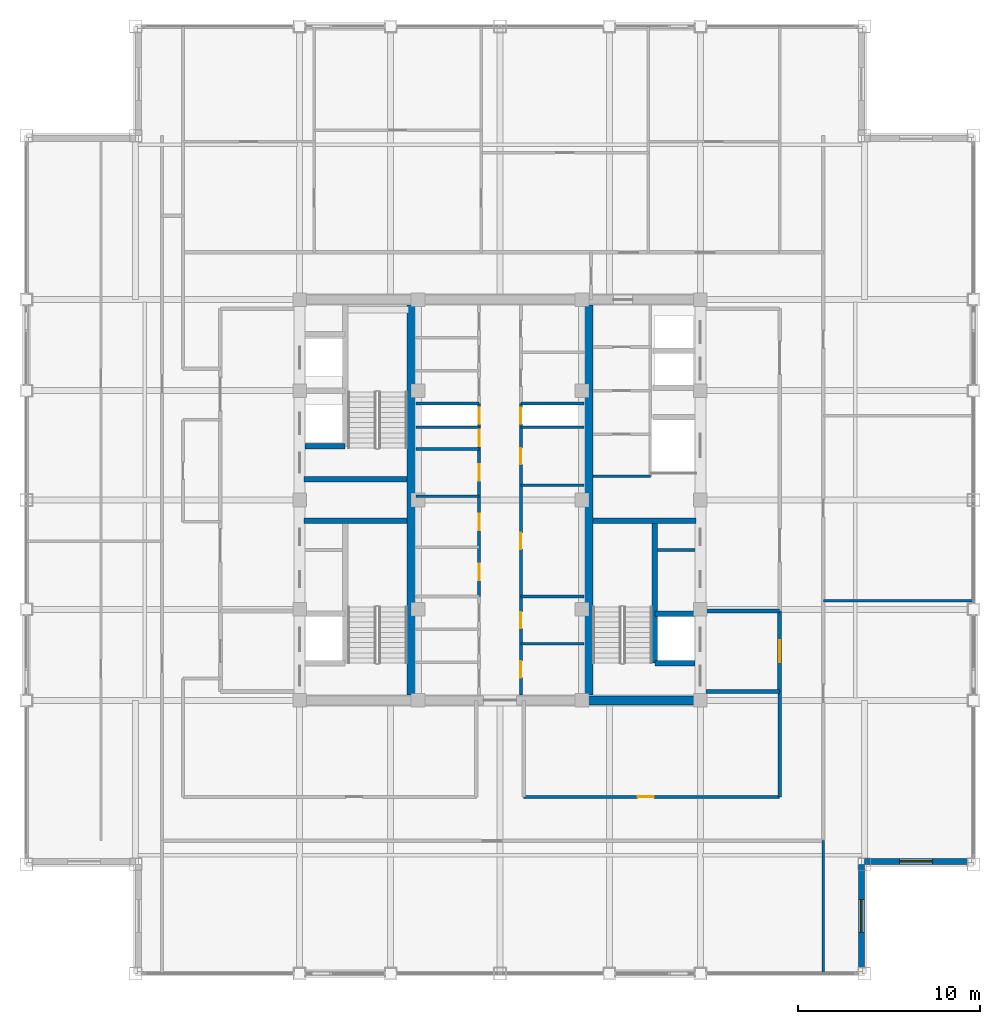
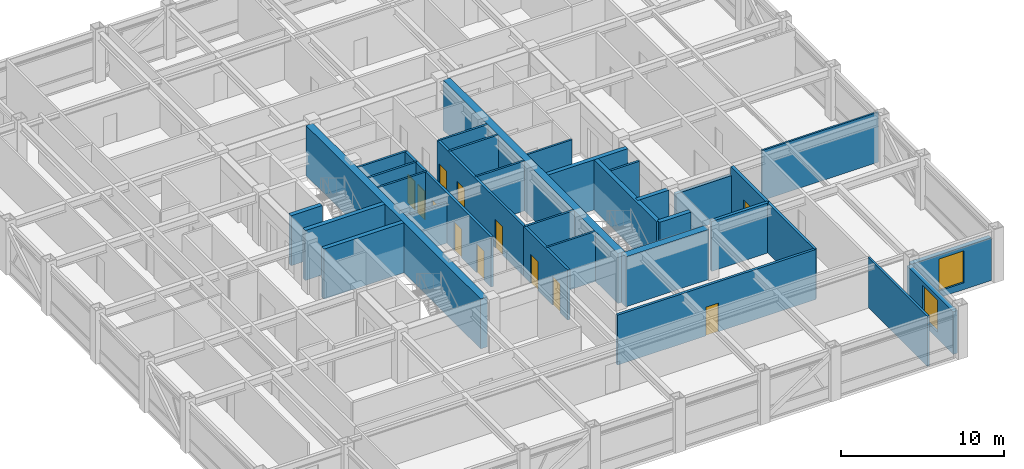
# One storey, part 25 of 29: 33 walls, 12 doors, 2 windows, 14 openings.
"""IFC4 building model written with IfcOpenShell, lengths in metres."""

from ifc_helpers import new_model, si_unit, direction, frame, frame_2d, origin, place, context, subcontext, project, spatial, rectangle, extrude, source, transform, mapped, material, layer, layer_set, type_object, element, fill, save


model = new_model("IFC4")

# Units and contexts
model_context = context("Model", 3, precision=1e-05, world=origin(), true_north=direction((0.0, 1.0)))
body_context = subcontext(model_context, "Body", "Model", "MODEL_VIEW")
ifc_project = project(units=[si_unit("LENGTHUNIT", "METRE"), si_unit("AREAUNIT", "SQUARE_METRE"), si_unit("VOLUMEUNIT", "CUBIC_METRE"), si_unit("PLANEANGLEUNIT", "RADIAN"), si_unit("MASSUNIT", "GRAM", prefix="KILO")], contexts=[model_context])

# Site, building, storey
site_placement = place(None, origin())
site = spatial("IfcSite", under=ifc_project, at=site_placement, CompositionType="ELEMENT")
building_placement = place(site_placement, origin())
building = spatial("IfcBuilding", under=site, at=building_placement, Name="Khorayat Bourse Tower", CompositionType="ELEMENT")
storey_placement = place(building_placement, frame((0.0, 0.0, 362.300048828125)))
storey = spatial("IfcBuildingStorey", under=building, at=storey_placement, Name="L86", CompositionType="ELEMENT", Elevation=362.300048828125)

# Walls
ifc_material_1 = material(Name="Concrete C52/65", Category="concrete")
ifc_layer_1 = layer(ifc_material_1, 0.5)
ifc_layer_set_1 = layer_set([ifc_layer_1], Name="Concrete C52/65")
wall_type_1 = type_object("IfcWallType", Name="WAL-CORE-500", PredefinedType="SHEAR", material=ifc_layer_set_1)
shared_shape_1 = source(origin(), body_context, "Body", "SweptSolid", [
    extrude(rectangle(XDim=21.39990234375, YDim=0.5, at=frame_2d((10.699951171875, 0.0))), origin(), (0.0, 0.0, 1.0), 3.739990234375),
])
for number, where, z_axis, x_axis, name in (
    (1, (-4.85009765625, -10.699951171875, 0.0), (0.0, 0.0, 1.0), (0.0, 1.0, 0.0), "L86 Core Shear Wall PIER-W"),
    (2, (4.85009765625, -10.699951171875, 0.0), (0.0, 0.0, 1.0), (0.0, 1.0, 0.0), "L86 Core Shear Wall PIER-E"),
):
    element("IfcWall", number, at=place(storey_placement, frame(where, z_axis=z_axis, x_axis=x_axis)), inside=storey, type_object=wall_type_1, Name=name, PredefinedType="SHEAR", context=body_context, shape_type="MappedRepresentation", body=[
        mapped(shared_shape_1, transform((0.0, 0.0, 0.0), scale=1.0)),
    ])
shared_shape_2 = source(origin(), body_context, "Body", "SweptSolid", [
    extrude(rectangle(XDim=5.89990234375, YDim=0.5, at=frame_2d((2.949951171875, 0.0))), origin(), (0.0, 0.0, 1.0), 3.739990234375),
])
wall_1_placement = place(storey_placement, frame((4.85009765625, -11.0, 0.0), z_axis=(0.0, 0.0, 1.0), x_axis=(1.0, 0.0, 0.0)))
element("IfcWall", 3, at=wall_1_placement, inside=storey, type_object=wall_type_1, Name="L86 Core Shear Wall PIER-ES", PredefinedType="SHEAR", context=body_context, shape_type="MappedRepresentation", body=[
    mapped(shared_shape_2, transform((0.0, 0.0, 0.0), scale=1.0)),
])
ifc_material_2 = material(Name="Concrete C50/60", Category="concrete")
ifc_layer_2 = layer(ifc_material_2, 0.300048828125)
ifc_layer_set_2 = layer_set([ifc_layer_2], Name="Concrete C50/60")
wall_type_2 = type_object("IfcWallType", Name="WAL-SHAFT-300", PredefinedType="SHEAR", material=ifc_layer_set_2)
shared_shape_3 = source(origin(), body_context, "Body", "SweptSolid", [
    extrude(rectangle(XDim=5.64990234375, YDim=0.300048828125, at=frame_2d((2.824951171875, 0.0))), origin(), (0.0, 0.0, 1.0), 3.739990234375),
])
for number, where, z_axis, x_axis, name in (
    (4, (-10.75, -1.14990234375, 0.0), (0.0, 0.0, 1.0), (1.0, 0.0, 0.0), "L86 Core Shear Wall ST1-DIV"),
    (5, (-10.75, 1.14990234375, 0.0), (0.0, 0.0, 1.0), (1.0, 0.0, 0.0), "L86 Core Shear Wall ST2-DIV"),
    (6, (5.10009765625, -1.14990234375, 0.0), (0.0, 0.0, 1.0), (1.0, 0.0, 0.0), "L86 Core Shear Wall ST3-DIV"),
):
    element("IfcWall", number, at=place(storey_placement, frame(where, z_axis=z_axis, x_axis=x_axis)), inside=storey, type_object=wall_type_2, Name=name, PredefinedType="SHEAR", context=body_context, shape_type="MappedRepresentation", body=[
        mapped(shared_shape_3, transform((0.0, 0.0, 0.0), scale=1.0)),
    ])

# Wall, opening, window
ifc_material_3 = material(Name="Precast concrete C45/55", Category="concrete")
ifc_layer_3 = layer(ifc_material_3, 0.320068359375)
ifc_layer_set_3 = layer_set([ifc_layer_3], Name="Precast concrete C45/55")
wall_type_3 = type_object("IfcWallType", Name="WAL-EXT-STONE-320", PredefinedType="STANDARD", material=ifc_layer_set_3)
shared_shape_4 = source(origin(), body_context, "Body", "SweptSolid", [
    extrude(rectangle(XDim=5.679931640625, YDim=0.320068359375, at=frame_2d((2.83984375, 0.0))), origin(), (0.0, 0.0, 1.0), 3.19091796875),
])
wall_2_placement = place(storey_placement, frame((19.840087890625, -25.679931640625, 0.0), z_axis=(0.0, 0.0, 1.0), x_axis=(0.0, 1.0, 0.0)))
wall_2 = element("IfcWall", 7, at=wall_2_placement, inside=storey, type_object=wall_type_3, Name="L86 Re-Entrant Notch Limestone Wall SE-V", PredefinedType="STANDARD", context=body_context, shape_type="MappedRepresentation", body=[
    mapped(shared_shape_4, transform((0.0, 0.0, 0.0), scale=1.0)),
])
shared_shape_5 = source(origin(), body_context, "Body", "SweptSolid", [
    extrude(rectangle(XDim=1.800048828125, YDim=2.39990234375, at=frame_2d((0.89990234375, 1.199951171875))), frame((0.0, 0.169921875, 0.0), z_axis=(0.0, -1.0, 0.0), x_axis=(1.0, 0.0, 0.0)), (0.0, 0.0, 1.0), 0.340087890625),
])
opening_1_placement = place(wall_2_placement, frame((1.93994140625, 0.0, 0.5)))
opening_1 = element("IfcOpeningElement", 8, at=opening_1_placement, cuts=wall_2, Name="Opening WN-04", PredefinedType="OPENING", context=body_context, shape_type="MappedRepresentation", body=[
    mapped(shared_shape_5, transform((0.0, 0.0, 0.0), scale=1.0)),
])
ifc_material_4 = material(Name="Low-E acoustic laminated double glazing", Category="glass")
window_type = type_object("IfcWindowType", Name="WIN-NOTCH-1800x2400", PartitioningType="SINGLE_PANEL", PredefinedType="WINDOW", material=ifc_material_4)
shared_shape_6 = source(origin(), body_context, "Body", "SweptSolid", [
    extrude(rectangle(XDim=1.800048828125, YDim=2.39990234375, at=frame_2d((0.89990234375, 1.199951171875))), frame((0.0, 0.030029296875, 0.0), z_axis=(0.0, -1.0, 0.0), x_axis=(1.0, 0.0, 0.0)), (0.0, 0.0, 1.0), 0.06005859375),
])
window_1_placement = place(opening_1_placement, origin())
window_1 = element("IfcWindow", 9, at=window_1_placement, inside=storey, type_object=window_type, Name="L86 Facade Window 1", OverallHeight=2.39990234375, OverallWidth=1.800048828125, PartitioningType="SINGLE_PANEL", PredefinedType="WINDOW", context=body_context, shape_type="MappedRepresentation", body=[
    mapped(shared_shape_6, transform((0.0, 0.0, 0.0), scale=1.0)),
])
fill(opening_1, window_1)

wall_3_placement = place(storey_placement, frame((20.0, -19.840087890625, 0.0), z_axis=(0.0, 0.0, 1.0), x_axis=(1.0, 0.0, 0.0)))
wall_3 = element("IfcWall", 10, at=wall_3_placement, inside=storey, type_object=wall_type_3, Name="L86 Re-Entrant Notch Limestone Wall SE-H", PredefinedType="STANDARD", context=body_context, shape_type="MappedRepresentation", body=[
    mapped(shared_shape_4, transform((0.0, 0.0, 0.0), scale=1.0)),
])
opening_2_placement = place(wall_3_placement, frame((1.93994140625, 0.0, 0.5)))
opening_2 = element("IfcOpeningElement", 11, at=opening_2_placement, cuts=wall_3, Name="Opening WN-04", PredefinedType="OPENING", context=body_context, shape_type="MappedRepresentation", body=[
    mapped(shared_shape_5, transform((0.0, 0.0, 0.0), scale=1.0)),
])
window_2_placement = place(opening_2_placement, origin())
window_2 = element("IfcWindow", 12, at=window_2_placement, inside=storey, type_object=window_type, Name="L86 Facade Window 1", OverallHeight=2.39990234375, OverallWidth=1.800048828125, PartitioningType="SINGLE_PANEL", PredefinedType="WINDOW", context=body_context, shape_type="MappedRepresentation", body=[
    mapped(shared_shape_6, transform((0.0, 0.0, 0.0), scale=1.0)),
])
fill(opening_2, window_2)

# Walls
shared_shape_7 = source(origin(), body_context, "Body", "SweptSolid", [
    extrude(rectangle(XDim=7.800048828125, YDim=0.300048828125, at=frame_2d((3.89990234375, 0.0))), origin(), (0.0, 0.0, 1.0), 3.739990234375),
])
wall_4_placement = place(storey_placement, frame((8.5, -8.949951171875, 0.0), z_axis=(0.0, 0.0, 1.0), x_axis=(0.0, 1.0, 0.0)))
element("IfcWall", 13, at=wall_4_placement, inside=storey, type_object=wall_type_2, Name="L86 Partition WAL-L86-EPIER-SP", PredefinedType="SHEAR", context=body_context, shape_type="MappedRepresentation", body=[
    mapped(shared_shape_7, transform((0.0, 0.0, 0.0), scale=1.0)),
])
shared_shape_8 = source(origin(), body_context, "Body", "SweptSolid", [
    extrude(rectangle(XDim=2.199951171875, YDim=0.300048828125, at=frame_2d((1.10009765625, 0.0))), origin(), (0.0, 0.0, 1.0), 3.739990234375),
])
for number, where, z_axis, x_axis, name in (
    (14, (-10.699951171875, 2.949951171875, 0.0), (0.0, 0.0, 1.0), (1.0, 0.0, 0.0), "L86 Partition WAL-L86-WPIER-H1S"),
    (15, (8.5, -8.949951171875, 0.0), (0.0, 0.0, 1.0), (1.0, 0.0, 0.0), "L86 Partition WAL-L86-EPIER-FF2S"),
    (16, (8.5, -6.25, 0.0), (0.0, 0.0, 1.0), (1.0, 0.0, 0.0), "L86 Partition WAL-L86-EPIER-FF2N"),
):
    element("IfcWall", number, at=place(storey_placement, frame(where, z_axis=z_axis, x_axis=x_axis)), inside=storey, type_object=wall_type_2, Name=name, PredefinedType="SHEAR", context=body_context, shape_type="MappedRepresentation", body=[
        mapped(shared_shape_8, transform((0.0, 0.0, 0.0), scale=1.0)),
    ])
ifc_material_5 = material(Name="Gypsum plasterboard twin-frame partition")
ifc_layer_4 = layer(ifc_material_5, 0.14990234375)
ifc_layer_set_4 = layer_set([ifc_layer_4], Name="Gypsum plasterboard twin-frame partition")
wall_type_4 = type_object("IfcWallType", Name="WAL-PART-SUITE-150", PredefinedType="PARTITIONING", material=ifc_layer_set_4)
shared_shape_9 = source(origin(), body_context, "Body", "SweptSolid", [
    extrude(rectangle(XDim=2.050048828125, YDim=0.14990234375, at=frame_2d((1.02490234375, 0.0))), origin(), (0.0, 0.0, 1.0), 3.739990234375),
])
wall_5_placement = place(storey_placement, frame((8.64990234375, -2.75, 0.0), z_axis=(0.0, 0.0, 1.0), x_axis=(1.0, 0.0, 0.0)))
element("IfcWall", 17, at=wall_5_placement, inside=storey, type_object=wall_type_4, Name="L86 Partition WAL-L86-ESRV-D1", PredefinedType="PARTITIONING", context=body_context, shape_type="MappedRepresentation", body=[
    mapped(shared_shape_9, transform((0.0, 0.0, 0.0), scale=1.0)),
])
ifc_material_6 = material(Name="Moisture-resistant masonry partition", Category="masonry")
ifc_layer_5 = layer(ifc_material_6, 0.139892578125)
ifc_layer_set_5 = layer_set([ifc_layer_5], Name="Moisture-resistant masonry partition")
wall_type_5 = type_object("IfcWallType", Name="WAL-PART-WET-140", PredefinedType="PARTITIONING", material=ifc_layer_set_5)
shared_shape_10 = source(origin(), body_context, "Body", "SweptSolid", [
    extrude(rectangle(XDim=3.14990234375, YDim=0.139892578125, at=frame_2d((1.574951171875, 0.0))), origin(), (0.0, 0.0, 1.0), 3.739990234375),
])
wall_6_placement = place(storey_placement, frame((5.10009765625, 1.300048828125, 0.0), z_axis=(0.0, 0.0, 1.0), x_axis=(1.0, 0.0, 0.0)))
element("IfcWall", 18, at=wall_6_placement, inside=storey, type_object=wall_type_5, Name="L86 Partition WAL-L86-ECORE-S", PredefinedType="PARTITIONING", context=body_context, shape_type="MappedRepresentation", body=[
    mapped(shared_shape_10, transform((0.0, 0.0, 0.0), scale=1.0)),
])
ifc_material_7 = material(Name="Aerated concrete blockwork", Category="masonry")
ifc_layer_6 = layer(ifc_material_7, 0.219970703125)
ifc_layer_set_6 = layer_set([ifc_layer_6], Name="Aerated concrete blockwork")
wall_type_6 = type_object("IfcWallType", Name="WAL-PART-FF-220", PredefinedType="PARTITIONING", material=ifc_layer_set_6)
shared_shape_11 = source(origin(), body_context, "Body", "SweptSolid", [
    extrude(rectangle(XDim=4.050048828125, YDim=0.219970703125, at=frame_2d((2.02490234375, 0.0))), origin(), (0.0, 0.0, 1.0), 3.739990234375),
])
wall_7_placement = place(storey_placement, frame((11.300048828125, -10.5, 0.0), z_axis=(0.0, 0.0, 1.0), x_axis=(1.0, 0.0, 0.0)))
element("IfcWall", 19, at=wall_7_placement, inside=storey, type_object=wall_type_6, Name="L86 Partition WAL-L86-FFLE-S", PredefinedType="PARTITIONING", context=body_context, shape_type="MappedRepresentation", body=[
    mapped(shared_shape_11, transform((0.0, 0.0, 0.0), scale=1.0)),
])
shared_shape_12 = source(origin(), body_context, "Body", "SweptSolid", [
    extrude(rectangle(XDim=4.050048828125, YDim=0.219970703125, at=frame_2d((2.02490234375, 0.0))), origin(), (0.0, 0.0, 1.0), 3.1240234375),
])
wall_8_placement = place(storey_placement, frame((11.300048828125, -6.10009765625, 0.0), z_axis=(0.0, 0.0, 1.0), x_axis=(1.0, 0.0, 0.0)))
element("IfcWall", 20, at=wall_8_placement, inside=storey, type_object=wall_type_6, Name="L86 Partition WAL-L86-FFLE-N", PredefinedType="PARTITIONING", context=body_context, shape_type="MappedRepresentation", body=[
    mapped(shared_shape_12, transform((0.0, 0.0, 0.0), scale=1.0)),
])

# Wall, opening, door
shared_shape_13 = source(origin(), body_context, "Body", "SweptSolid", [
    extrude(rectangle(XDim=4.39990234375, YDim=0.219970703125, at=frame_2d((2.199951171875, 0.0))), origin(), (0.0, 0.0, 1.0), 3.739990234375),
])
wall_9_placement = place(storey_placement, frame((15.35009765625, -10.5, 0.0), z_axis=(0.0, 0.0, 1.0), x_axis=(0.0, 1.0, 0.0)))
wall_9 = element("IfcWall", 21, at=wall_9_placement, inside=storey, type_object=wall_type_6, Name="L86 Partition WAL-L86-FFLE-E", PredefinedType="PARTITIONING", context=body_context, shape_type="MappedRepresentation", body=[
    mapped(shared_shape_13, transform((0.0, 0.0, 0.0), scale=1.0)),
])
shared_shape_14 = source(origin(), body_context, "Body", "SweptSolid", [
    extrude(rectangle(XDim=1.199951171875, YDim=2.199951171875, at=frame_2d((0.60009765625, 1.10009765625))), frame((0.0, 0.119873046875, 0.0), z_axis=(0.0, -1.0, 0.0), x_axis=(1.0, 0.0, 0.0)), (0.0, 0.0, 1.0), 0.239990234375),
])
opening_3_placement = place(wall_9_placement, frame((1.60009765625, 0.0, 0.0)))
opening_3 = element("IfcOpeningElement", 22, at=opening_3_placement, cuts=wall_9, Name="Opening DI-02", PredefinedType="OPENING", context=body_context, shape_type="MappedRepresentation", body=[
    mapped(shared_shape_14, transform((0.0, 0.0, 0.0), scale=1.0)),
])
ifc_material_8 = material(Name="Fire-rated steel double-seal leaf", Category="steel")
door_type_1 = type_object("IfcDoorType", Name="DR-INT-FFLOBBY-1200", OperationType="NOTDEFINED", PredefinedType="DOOR", material=ifc_material_8)
shared_shape_15 = source(origin(), body_context, "Body", "SweptSolid", [
    extrude(rectangle(XDim=1.199951171875, YDim=2.199951171875, at=frame_2d((0.60009765625, 1.10009765625))), frame((0.0, 0.02490234375, 0.0), z_axis=(0.0, -1.0, 0.0), x_axis=(1.0, 0.0, 0.0)), (0.0, 0.0, 1.0), 0.050048828125),
])
door_1_placement = place(opening_3_placement, origin())
door_1 = element("IfcDoor", 23, at=door_1_placement, inside=storey, type_object=door_type_1, Name="L86 East Firefighting Lobby Door", OperationType="SINGLE_SWING_RIGHT", OverallHeight=2.199951171875, OverallWidth=1.199951171875, PredefinedType="DOOR", context=body_context, shape_type="MappedRepresentation", body=[
    mapped(shared_shape_15, transform((0.0, 0.0, 0.0), scale=1.0)),
])
fill(opening_3, door_1)

# Walls
shared_shape_16 = source(origin(), body_context, "Body", "SweptSolid", [
    extrude(rectangle(XDim=3.4501953125, YDim=0.14990234375, at=frame_2d((1.72509765625, 0.0))), origin(), (0.0, 0.0, 1.0), 3.739990234375),
])
for number, where, z_axis, x_axis, name in (
    (24, (-4.60009765625, 4.0, 0.0), (0.0, 0.0, 1.0), (1.0, 0.0, 0.0), "L86 Partition WAL-L86-CRSW-S"),
    (25, (1.14990234375, 4.0, 0.0), (0.0, 0.0, 1.0), (1.0, 0.0, 0.0), "L86 Partition WAL-L86-CRSE-S"),
    (26, (1.14990234375, -5.300048828125, 0.0), (0.0, 0.0, 1.0), (1.0, 0.0, 0.0), "L86 Partition WAL-L86-FB1-NE"),
    (27, (-4.60009765625, 5.300048828125, 0.0), (0.0, 0.0, 1.0), (1.0, 0.0, 0.0), "L86 Partition WAL-L86-FB2-SW"),
    (28, (1.14990234375, 5.300048828125, 0.0), (0.0, 0.0, 1.0), (1.0, 0.0, 0.0), "L86 Partition WAL-L86-FB2-SE"),
):
    element("IfcWall", number, at=place(storey_placement, frame(where, z_axis=z_axis, x_axis=x_axis)), inside=storey, type_object=wall_type_4, Name=name, PredefinedType="PARTITIONING", context=body_context, shape_type="MappedRepresentation", body=[
        mapped(shared_shape_16, transform((0.0, 0.0, 0.0), scale=1.0)),
    ])
shared_shape_17 = source(origin(), body_context, "Body", "SweptSolid", [
    extrude(rectangle(XDim=3.4501953125, YDim=0.139892578125, at=frame_2d((1.72509765625, 0.0))), origin(), (0.0, 0.0, 1.0), 3.739990234375),
])
for number, where, z_axis, x_axis, name in (
    (29, (1.14990234375, -7.89990234375, 0.0), (0.0, 0.0, 1.0), (1.0, 0.0, 0.0), "L86 Partition WAL-L86-FB1E-D1"),
    (30, (-4.60009765625, 2.800048828125, 0.0), (0.0, 0.0, 1.0), (1.0, 0.0, 0.0), "L86 Partition WAL-L86-CMW-D3"),
    (31, (1.14990234375, 0.800048828125, 0.0), (0.0, 0.0, 1.0), (1.0, 0.0, 0.0), "L86 Partition WAL-L86-CME-D1"),
):
    element("IfcWall", number, at=place(storey_placement, frame(where, z_axis=z_axis, x_axis=x_axis)), inside=storey, type_object=wall_type_5, Name=name, PredefinedType="PARTITIONING", context=body_context, shape_type="MappedRepresentation", body=[
        mapped(shared_shape_17, transform((0.0, 0.0, 0.0), scale=1.0)),
    ])

# Wall, openings, doors
ifc_material_9 = material(Name="Gypsum plasterboard acoustic stud wall")
ifc_layer_7 = layer(ifc_material_9, 0.179931640625)
ifc_layer_set_7 = layer_set([ifc_layer_7], Name="Gypsum plasterboard acoustic stud wall")
wall_type_7 = type_object("IfcWallType", Name="WAL-PART-CORR-180", PredefinedType="PARTITIONING", material=ifc_layer_set_7)
shared_shape_18 = source(origin(), body_context, "Body", "SweptSolid", [
    extrude(rectangle(XDim=5.39990234375, YDim=0.179931640625, at=frame_2d((2.699951171875, 0.0))), origin(), (0.0, 0.0, 1.0), 3.739990234375),
])
wall_10_placement = place(storey_placement, frame((1.14990234375, -10.699951171875, 0.0), z_axis=(0.0, 0.0, 1.0), x_axis=(0.0, 1.0, 0.0)))
wall_10 = element("IfcWall", 32, at=wall_10_placement, inside=storey, type_object=wall_type_7, Name="L86 Partition WAL-L86-FB1E-L", PredefinedType="PARTITIONING", context=body_context, shape_type="MappedRepresentation", body=[
    mapped(shared_shape_18, transform((0.0, 0.0, 0.0), scale=1.0)),
])
shared_shape_19 = source(origin(), body_context, "Body", "SweptSolid", [
    extrude(rectangle(XDim=0.89990234375, YDim=2.14990234375, at=frame_2d((0.449951171875, 1.074951171875))), frame((0.0, 0.099853515625, 0.0), z_axis=(0.0, -1.0, 0.0), x_axis=(1.0, 0.0, 0.0)), (0.0, 0.0, 1.0), 0.199951171875),
])
opening_4_placement = place(wall_10_placement, frame((0.949951171875, 0.0, 0.0)))
opening_4 = element("IfcOpeningElement", 33, at=opening_4_placement, cuts=wall_10, Name="Opening DI-06", PredefinedType="OPENING", context=body_context, shape_type="MappedRepresentation", body=[
    mapped(shared_shape_19, transform((0.0, 0.0, 0.0), scale=1.0)),
])
opening_5_placement = place(wall_10_placement, frame((3.64990234375, 0.0, 0.0)))
opening_5 = element("IfcOpeningElement", 34, at=opening_5_placement, cuts=wall_10, Name="Opening DI-06", PredefinedType="OPENING", context=body_context, shape_type="MappedRepresentation", body=[
    mapped(shared_shape_19, transform((0.0, 0.0, 0.0), scale=1.0)),
])
ifc_material_10 = material(Name="Moisture-resistant laminate washroom door")
door_type_2 = type_object("IfcDoorType", Name="DR-INT-WC-900", OperationType="NOTDEFINED", PredefinedType="DOOR", material=ifc_material_10)
shared_shape_20 = source(origin(), body_context, "Body", "SweptSolid", [
    extrude(rectangle(XDim=0.89990234375, YDim=2.14990234375, at=frame_2d((0.449951171875, 1.074951171875))), frame((0.0, 0.02490234375, 0.0), z_axis=(0.0, -1.0, 0.0), x_axis=(1.0, 0.0, 0.0)), (0.0, 0.0, 1.0), 0.050048828125),
])
door_2_placement = place(opening_4_placement, origin())
door_2 = element("IfcDoor", 35, at=door_2_placement, inside=storey, type_object=door_type_2, Name="L86 UPS Switch Plant Room Door", OperationType="SINGLE_SWING_RIGHT", OverallHeight=2.14990234375, OverallWidth=0.89990234375, PredefinedType="DOOR", context=body_context, shape_type="MappedRepresentation", body=[
    mapped(shared_shape_20, transform((0.0, 0.0, 0.0), scale=1.0)),
])
fill(opening_4, door_2)
door_3_placement = place(opening_5_placement, origin())
door_3 = element("IfcDoor", 36, at=door_3_placement, inside=storey, type_object=door_type_2, Name="L86 Reprographics Store Door", OperationType="SINGLE_SWING_LEFT", OverallHeight=2.14990234375, OverallWidth=0.89990234375, PredefinedType="DOOR", context=body_context, shape_type="MappedRepresentation", body=[
    mapped(shared_shape_20, transform((0.0, 0.0, 0.0), scale=1.0)),
])
fill(opening_5, door_3)

shared_shape_21 = source(origin(), body_context, "Body", "SweptSolid", [
    extrude(rectangle(XDim=10.60009765625, YDim=0.179931640625, at=frame_2d((5.300048828125, 0.0))), origin(), (0.0, 0.0, 1.0), 3.739990234375),
])
wall_11_placement = place(storey_placement, frame((-1.14990234375, -5.300048828125, 0.0), z_axis=(0.0, 0.0, 1.0), x_axis=(0.0, 1.0, 0.0)))
wall_11 = element("IfcWall", 37, at=wall_11_placement, inside=storey, type_object=wall_type_7, Name="L86 Partition WAL-L86-CMW-L", PredefinedType="PARTITIONING", context=body_context, shape_type="MappedRepresentation", body=[
    mapped(shared_shape_21, transform((0.0, 0.0, 0.0), scale=1.0)),
])
opening_6_placement = place(wall_11_placement, frame((0.89990234375, 0.0, 0.0)))
opening_6 = element("IfcOpeningElement", 38, at=opening_6_placement, cuts=wall_11, Name="Opening DI-06", PredefinedType="OPENING", context=body_context, shape_type="MappedRepresentation", body=[
    mapped(shared_shape_19, transform((0.0, 0.0, 0.0), scale=1.0)),
])
opening_7_placement = place(wall_11_placement, frame((3.64990234375, 0.0, 0.0)))
opening_7 = element("IfcOpeningElement", 39, at=opening_7_placement, cuts=wall_11, Name="Opening DI-06", PredefinedType="OPENING", context=body_context, shape_type="MappedRepresentation", body=[
    mapped(shared_shape_19, transform((0.0, 0.0, 0.0), scale=1.0)),
])
opening_8_placement = place(wall_11_placement, frame((6.35009765625, 0.0, 0.0)))
opening_8 = element("IfcOpeningElement", 40, at=opening_8_placement, cuts=wall_11, Name="Opening DI-06", PredefinedType="OPENING", context=body_context, shape_type="MappedRepresentation", body=[
    mapped(shared_shape_19, transform((0.0, 0.0, 0.0), scale=1.0)),
])
opening_9_placement = place(wall_11_placement, frame((8.25, 0.0, 0.0)))
opening_9 = element("IfcOpeningElement", 41, at=opening_9_placement, cuts=wall_11, Name="Opening DI-06", PredefinedType="OPENING", context=body_context, shape_type="MappedRepresentation", body=[
    mapped(shared_shape_19, transform((0.0, 0.0, 0.0), scale=1.0)),
])
opening_10_placement = place(wall_11_placement, frame((9.47509765625, 0.0, 0.0)))
opening_10 = element("IfcOpeningElement", 42, at=opening_10_placement, cuts=wall_11, Name="Opening DI-06", PredefinedType="OPENING", context=body_context, shape_type="MappedRepresentation", body=[
    mapped(shared_shape_19, transform((0.0, 0.0, 0.0), scale=1.0)),
])
door_4_placement = place(opening_6_placement, origin())
door_4 = element("IfcDoor", 43, at=door_4_placement, inside=storey, type_object=door_type_2, Name="L86 Cleaners Store Door", OperationType="SINGLE_SWING_RIGHT", OverallHeight=2.14990234375, OverallWidth=0.89990234375, PredefinedType="DOOR", context=body_context, shape_type="MappedRepresentation", body=[
    mapped(shared_shape_20, transform((0.0, 0.0, 0.0), scale=1.0)),
])
fill(opening_6, door_4)
door_5_placement = place(opening_7_placement, origin())
door_5 = element("IfcDoor", 44, at=door_5_placement, inside=storey, type_object=door_type_2, Name="L86 Male Core Washroom Door", OperationType="SINGLE_SWING_LEFT", OverallHeight=2.14990234375, OverallWidth=0.89990234375, PredefinedType="DOOR", context=body_context, shape_type="MappedRepresentation", body=[
    mapped(shared_shape_20, transform((0.0, 0.0, 0.0), scale=1.0)),
])
fill(opening_7, door_5)
door_6_placement = place(opening_8_placement, origin())
door_6 = element("IfcDoor", 45, at=door_6_placement, inside=storey, type_object=door_type_2, Name="L86 Electrical Closet Door", OperationType="SINGLE_SWING_RIGHT", OverallHeight=2.14990234375, OverallWidth=0.89990234375, PredefinedType="DOOR", context=body_context, shape_type="MappedRepresentation", body=[
    mapped(shared_shape_20, transform((0.0, 0.0, 0.0), scale=1.0)),
])
fill(opening_8, door_6)
door_7_placement = place(opening_9_placement, origin())
door_7 = element("IfcDoor", 46, at=door_7_placement, inside=storey, type_object=door_type_2, Name="L86 Archive Cupboard Door", OperationType="SINGLE_SWING_LEFT", OverallHeight=2.14990234375, OverallWidth=0.89990234375, PredefinedType="DOOR", context=body_context, shape_type="MappedRepresentation", body=[
    mapped(shared_shape_20, transform((0.0, 0.0, 0.0), scale=1.0)),
])
fill(opening_9, door_7)
door_8_placement = place(opening_10_placement, origin())
door_8 = element("IfcDoor", 47, at=door_8_placement, inside=storey, type_object=door_type_2, Name="L86 West Core Riser Door", OperationType="SINGLE_SWING_LEFT", OverallHeight=2.14990234375, OverallWidth=0.89990234375, PredefinedType="DOOR", context=body_context, shape_type="MappedRepresentation", body=[
    mapped(shared_shape_20, transform((0.0, 0.0, 0.0), scale=1.0)),
])
fill(opening_10, door_8)

wall_12_placement = place(storey_placement, frame((1.14990234375, -5.300048828125, 0.0), z_axis=(0.0, 0.0, 1.0), x_axis=(0.0, 1.0, 0.0)))
wall_12 = element("IfcWall", 48, at=wall_12_placement, inside=storey, type_object=wall_type_7, Name="L86 Partition WAL-L86-CME-L", PredefinedType="PARTITIONING", context=body_context, shape_type="MappedRepresentation", body=[
    mapped(shared_shape_21, transform((0.0, 0.0, 0.0), scale=1.0)),
])
opening_11_placement = place(wall_12_placement, frame((2.60009765625, 0.0, 0.0)))
opening_11 = element("IfcOpeningElement", 49, at=opening_11_placement, cuts=wall_12, Name="Opening DI-06", PredefinedType="OPENING", context=body_context, shape_type="MappedRepresentation", body=[
    mapped(shared_shape_19, transform((0.0, 0.0, 0.0), scale=1.0)),
])
opening_12_placement = place(wall_12_placement, frame((7.25, 0.0, 0.0)))
opening_12 = element("IfcOpeningElement", 50, at=opening_12_placement, cuts=wall_12, Name="Opening DI-06", PredefinedType="OPENING", context=body_context, shape_type="MappedRepresentation", body=[
    mapped(shared_shape_19, transform((0.0, 0.0, 0.0), scale=1.0)),
])
opening_13_placement = place(wall_12_placement, frame((9.47509765625, 0.0, 0.0)))
opening_13 = element("IfcOpeningElement", 51, at=opening_13_placement, cuts=wall_12, Name="Opening DI-06", PredefinedType="OPENING", context=body_context, shape_type="MappedRepresentation", body=[
    mapped(shared_shape_19, transform((0.0, 0.0, 0.0), scale=1.0)),
])
door_9_placement = place(opening_11_placement, origin())
door_9 = element("IfcDoor", 52, at=door_9_placement, inside=storey, type_object=door_type_2, Name="L86 Female Core Washroom Door", OperationType="SINGLE_SWING_RIGHT", OverallHeight=2.14990234375, OverallWidth=0.89990234375, PredefinedType="DOOR", context=body_context, shape_type="MappedRepresentation", body=[
    mapped(shared_shape_20, transform((0.0, 0.0, 0.0), scale=1.0)),
])
fill(opening_11, door_9)
door_10_placement = place(opening_12_placement, origin())
door_10 = element("IfcDoor", 53, at=door_10_placement, inside=storey, type_object=door_type_2, Name="L86 Smoke Extract Fan Plant Room Door", OperationType="SINGLE_SWING_LEFT", OverallHeight=2.14990234375, OverallWidth=0.89990234375, PredefinedType="DOOR", context=body_context, shape_type="MappedRepresentation", body=[
    mapped(shared_shape_20, transform((0.0, 0.0, 0.0), scale=1.0)),
])
fill(opening_12, door_10)
door_11_placement = place(opening_13_placement, origin())
door_11 = element("IfcDoor", 54, at=door_11_placement, inside=storey, type_object=door_type_2, Name="L86 East Core Riser Door", OperationType="SINGLE_SWING_RIGHT", OverallHeight=2.14990234375, OverallWidth=0.89990234375, PredefinedType="DOOR", context=body_context, shape_type="MappedRepresentation", body=[
    mapped(shared_shape_20, transform((0.0, 0.0, 0.0), scale=1.0)),
])
fill(opening_13, door_11)

# Wall
shared_shape_22 = source(origin(), body_context, "Body", "SweptSolid", [
    extrude(rectangle(XDim=3.4501953125, YDim=0.139892578125, at=frame_2d((1.72509765625, 0.0))), origin(), (0.0, 0.0, 1.0), 3.044921875),
])
wall_13_placement = place(storey_placement, frame((-4.60009765625, 0.199951171875, 0.0), z_axis=(0.0, 0.0, 1.0), x_axis=(1.0, 0.0, 0.0)))
element("IfcWall", 55, at=wall_13_placement, inside=storey, type_object=wall_type_5, Name="L86 Partition WAL-L86-CMW-D2", PredefinedType="PARTITIONING", context=body_context, shape_type="MappedRepresentation", body=[
    mapped(shared_shape_22, transform((0.0, 0.0, 0.0), scale=1.0)),
])

# Wall, opening, door
shared_shape_23 = source(origin(), body_context, "Body", "SweptSolid", [
    extrude(rectangle(XDim=14.050048828125, YDim=0.179931640625, at=frame_2d((7.02490234375, 0.0))), origin(), (0.0, 0.0, 1.0), 3.739990234375),
])
wall_14_placement = place(storey_placement, frame((1.300048828125, -16.300048828125, 0.0), z_axis=(0.0, 0.0, 1.0), x_axis=(1.0, 0.0, 0.0)))
wall_14 = element("IfcWall", 56, at=wall_14_placement, inside=storey, type_object=wall_type_7, Name="L86 Partition WAL-L86-PKSE-S", PredefinedType="PARTITIONING", context=body_context, shape_type="MappedRepresentation", body=[
    mapped(shared_shape_23, transform((0.0, 0.0, 0.0), scale=1.0)),
])
opening_14_placement = place(wall_14_placement, frame((6.25, 0.0, 0.0)))
opening_14 = element("IfcOpeningElement", 57, at=opening_14_placement, cuts=wall_14, Name="Opening DI-06", PredefinedType="OPENING", context=body_context, shape_type="MappedRepresentation", body=[
    mapped(shared_shape_19, transform((0.0, 0.0, 0.0), scale=1.0)),
])
door_12_placement = place(opening_14_placement, origin())
door_12 = element("IfcDoor", 58, at=door_12_placement, inside=storey, type_object=door_type_2, Name="L86 SE Inboard Study Door", OperationType="SINGLE_SWING_RIGHT", OverallHeight=2.14990234375, OverallWidth=0.89990234375, PredefinedType="DOOR", context=body_context, shape_type="MappedRepresentation", body=[
    mapped(shared_shape_20, transform((0.0, 0.0, 0.0), scale=1.0)),
])
fill(opening_14, door_12)

# Walls
ifc_material_11 = material(Name="Gypsum plasterboard partition")
ifc_layer_8 = layer(ifc_material_11, 0.125)
ifc_layer_set_8 = layer_set([ifc_layer_8], Name="Gypsum plasterboard partition")
wall_type_8 = type_object("IfcWallType", Name="WAL-PART-ROOM-125", PredefinedType="PARTITIONING", material=ifc_layer_set_8)
shared_shape_24 = source(origin(), body_context, "Body", "SweptSolid", [
    extrude(rectangle(XDim=8.25, YDim=0.125, at=frame_2d((4.125, 0.0))), origin(), (0.0, 0.0, 1.0), 3.739990234375),
])
wall_15_placement = place(storey_placement, frame((17.75, -5.535888671875, 0.0), z_axis=(0.0, 0.0, 1.0), x_axis=(1.0, 0.0, 0.0)))
element("IfcWall", 59, at=wall_15_placement, inside=storey, type_object=wall_type_8, Name="L86 Partition WAL-L86-EDV-1", PredefinedType="PARTITIONING", context=body_context, shape_type="MappedRepresentation", body=[
    mapped(shared_shape_24, transform((0.0, 0.0, 0.0), scale=1.0)),
])
shared_shape_25 = source(origin(), body_context, "Body", "SweptSolid", [
    extrude(rectangle(XDim=5.800048828125, YDim=0.179931640625, at=frame_2d((2.89990234375, 0.0))), origin(), (0.0, 0.0, 1.0), 3.739990234375),
])
wall_16_placement = place(storey_placement, frame((15.35009765625, -16.300048828125, 0.0), z_axis=(0.0, 0.0, 1.0), x_axis=(0.0, 1.0, 0.0)))
element("IfcWall", 60, at=wall_16_placement, inside=storey, type_object=wall_type_7, Name="L86 Partition WAL-L86-PKSE-E", PredefinedType="PARTITIONING", context=body_context, shape_type="MappedRepresentation", body=[
    mapped(shared_shape_25, transform((0.0, 0.0, 0.0), scale=1.0)),
])
shared_shape_26 = source(origin(), body_context, "Body", "SweptSolid", [
    extrude(rectangle(XDim=7.300048828125, YDim=0.14990234375, at=frame_2d((3.64990234375, 0.0))), origin(), (0.0, 0.0, 1.0), 3.739990234375),
])
wall_17_placement = place(storey_placement, frame((17.75, -26.0, 0.0), z_axis=(0.0, 0.0, 1.0), x_axis=(0.0, 1.0, 0.0)))
element("IfcWall", 61, at=wall_17_placement, inside=storey, type_object=wall_type_4, Name="L86 Partition WAL-L86-SCE-END", PredefinedType="PARTITIONING", context=body_context, shape_type="MappedRepresentation", body=[
    mapped(shared_shape_26, transform((0.0, 0.0, 0.0), scale=1.0)),
])

save(model, "model.ifc")
